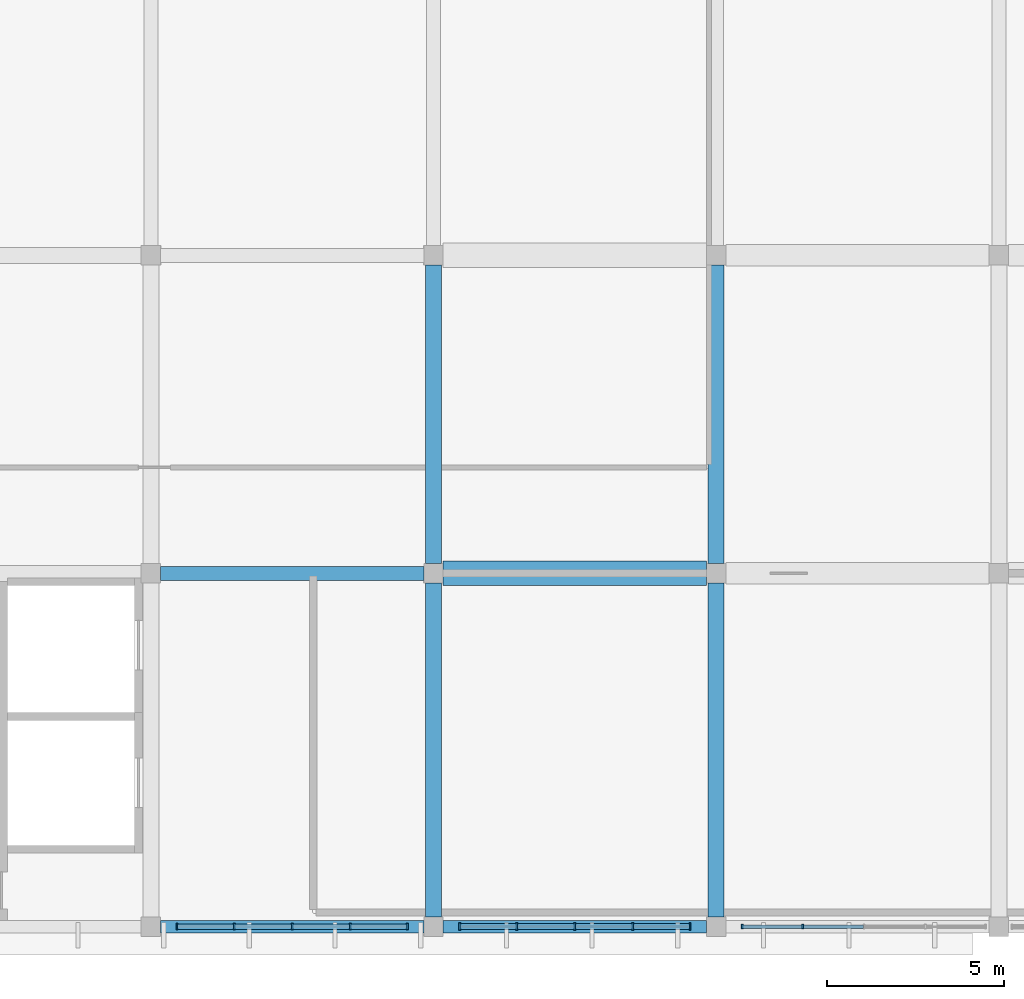
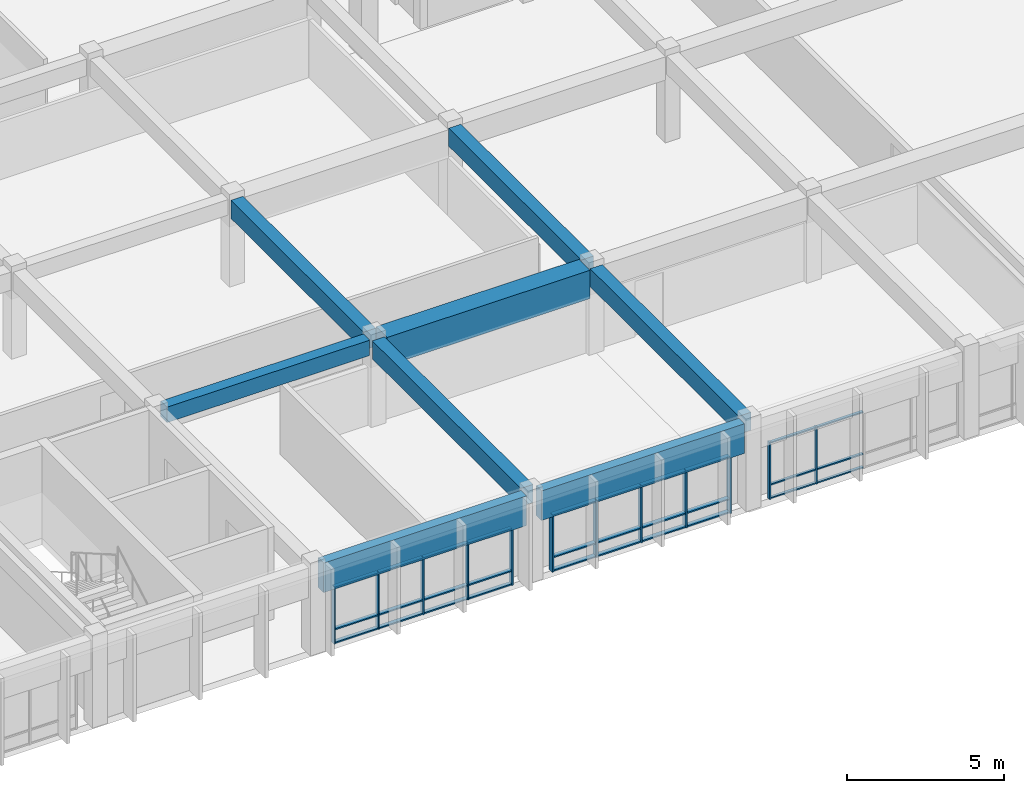
# One storey, part 30 of 77: 42 members, 8 beams, 3 elements without a shape of their own.
"""IFC4 building model written with IfcOpenShell, lengths in metres."""

from ifc_helpers import new_model, si_unit, direction, frame, origin, origin_2d, place, context, subcontext, project, spatial, rectangle, extrude, material, material_profile, profile_set, type_object, element, aggregate, save


model = new_model("IFC4")

# Units and contexts
model_context = context("Model", 3, precision=1e-05, world=origin(), true_north=direction((0.0, 1.0)))
body_context = subcontext(model_context, "Body", "Model", "MODEL_VIEW")
ifc_project = project(units=[si_unit("LENGTHUNIT", "METRE"), si_unit("AREAUNIT", "SQUARE_METRE"), si_unit("VOLUMEUNIT", "CUBIC_METRE"), si_unit("PLANEANGLEUNIT", "RADIAN"), si_unit("MASSUNIT", "GRAM", prefix="KILO")], contexts=[model_context])

# Site, building, storey
site_placement = place(None, origin())
site = spatial("IfcSite", under=ifc_project, at=site_placement, CompositionType="ELEMENT")
building_placement = place(site_placement, origin())
building = spatial("IfcBuilding", under=site, at=building_placement, Name="Larkveld Mobility Hub", CompositionType="ELEMENT")
storey_placement = place(building_placement, frame((0.0, 0.0, 12.0)))
storey = spatial("IfcBuildingStorey", under=building, at=storey_placement, Name="L03", CompositionType="ELEMENT", Elevation=12.0)

# Beams
ifc_material_1 = material(Name="Concrete C40/50", Category="concrete")
ifc_material_profile_1 = material_profile(ifc_material_1, rectangle(XDim=0.39990234375, YDim=0.60009765625, at=origin_2d()), Name="RC BM 400x600")
ifc_profile_set_1 = profile_set([ifc_material_profile_1], Name="Concrete C40/50")
beam_type_1 = type_object("IfcBeamType", Name="BM-RC4060", PredefinedType="BEAM", material=ifc_profile_set_1)
beam_1_placement = place(storey_placement, frame((128.27490234375, 10.0, 3.06005859375), z_axis=(1.0, 0.0, 0.0), x_axis=(0.0, 1.0, 0.0)))
element("IfcBeam", 1, at=beam_1_placement, inside=storey, type_object=beam_type_1, Name="Primary E-W Girder L03-0701", PredefinedType="BEAM", context=body_context, shape_type="SweptSolid", body=[
    extrude(rectangle(XDim=0.39990234375, YDim=0.60009765625, at=origin_2d()), origin(), (0.0, 0.0, 1.0), 7.4501953125),
])
ifc_material_profile_2 = material_profile(ifc_material_1, rectangle(XDim=0.449951171875, YDim=0.699951171875, at=origin_2d()), Name="RC BM 450x700")
ifc_profile_set_2 = profile_set([ifc_material_profile_2], Name="Concrete C40/50")
beam_type_2 = type_object("IfcBeamType", Name="BM-RC4570", PredefinedType="BEAM", material=ifc_profile_set_2)
beam_2_placement = place(storey_placement, frame((136.0, 0.27490234375, 3.010009765625), z_axis=(0.0, 1.0, 0.0), x_axis=(-1.0, 0.0, 0.0)))
element("IfcBeam", 2, at=beam_2_placement, inside=storey, type_object=beam_type_2, Name="Primary N-S Girder L03-0820", PredefinedType="BEAM", context=body_context, shape_type="SweptSolid", body=[
    extrude(rectangle(XDim=0.449951171875, YDim=0.699951171875, at=origin_2d()), origin(), (0.0, 0.0, 1.0), 9.4501953125),
])
beam_3_placement = place(storey_placement, frame((136.0, 10.27490234375, 3.010009765625), z_axis=(0.0, 1.0, 0.0), x_axis=(-1.0, 0.0, 0.0)))
element("IfcBeam", 3, at=beam_3_placement, inside=storey, type_object=beam_type_2, Name="Primary N-S Girder L03-0821", PredefinedType="BEAM", context=body_context, shape_type="SweptSolid", body=[
    extrude(rectangle(XDim=0.449951171875, YDim=0.699951171875, at=origin_2d()), origin(), (0.0, 0.0, 1.0), 8.4501953125),
])
beam_4_placement = place(storey_placement, frame((144.0, 0.27490234375, 3.010009765625), z_axis=(0.0, 1.0, 0.0), x_axis=(-1.0, 0.0, 0.0)))
element("IfcBeam", 4, at=beam_4_placement, inside=storey, type_object=beam_type_2, Name="Primary N-S Girder L03-0825", PredefinedType="BEAM", context=body_context, shape_type="SweptSolid", body=[
    extrude(rectangle(XDim=0.449951171875, YDim=0.699951171875, at=origin_2d()), origin(), (0.0, 0.0, 1.0), 9.4501953125),
])
beam_5_placement = place(storey_placement, frame((144.0, 10.27490234375, 3.010009765625), z_axis=(0.0, 1.0, 0.0), x_axis=(-1.0, 0.0, 0.0)))
element("IfcBeam", 5, at=beam_5_placement, inside=storey, type_object=beam_type_2, Name="Primary N-S Girder L03-0826", PredefinedType="BEAM", context=body_context, shape_type="SweptSolid", body=[
    extrude(rectangle(XDim=0.449951171875, YDim=0.699951171875, at=origin_2d()), origin(), (0.0, 0.0, 1.0), 8.4501953125),
])
ifc_material_profile_3 = material_profile(ifc_material_1, rectangle(XDim=0.699951171875, YDim=1.10009765625, at=origin_2d()), Name="RC BM 700x1100")
ifc_profile_set_3 = profile_set([ifc_material_profile_3], Name="Concrete C40/50")
beam_type_3 = type_object("IfcBeamType", Name="BM-RC70110", PredefinedType="BEAM", material=ifc_profile_set_3)
beam_6_placement = place(storey_placement, frame((136.27490234375, 10.0, 2.81005859375), z_axis=(1.0, 0.0, 0.0), x_axis=(0.0, 1.0, 0.0)))
element("IfcBeam", 6, at=beam_6_placement, inside=storey, type_object=beam_type_3, Name="Primary E-W Girder L03-0702", PredefinedType="BEAM", context=body_context, shape_type="SweptSolid", body=[
    extrude(rectangle(XDim=0.699951171875, YDim=1.10009765625, at=origin_2d()), origin(), (0.0, 0.0, 1.0), 7.4501953125),
])
ifc_material_2 = material(Name="Precast concrete C50/60", Category="concrete")
ifc_material_profile_4 = material_profile(ifc_material_2, rectangle(XDim=0.35009765625, YDim=1.14990234375, at=origin_2d()), Name="PC SP 350x1150")
ifc_profile_set_4 = profile_set([ifc_material_profile_4], Name="Precast concrete C50/60")
beam_type_4 = type_object("IfcBeamType", Name="BM-SP35115", PredefinedType="SPANDREL", material=ifc_profile_set_4)
for number, where, z_axis, x_axis, name in (
    (7, (128.27490234375, 0.0, 2.784912109375), (1.0, 0.0, 0.0), (0.0, 1.0, 0.0), "Primary E-W Girder L03-0694"),
    (8, (136.27490234375, 0.0, 2.784912109375), (1.0, 0.0, 0.0), (0.0, 1.0, 0.0), "Primary E-W Girder L03-0695"),
):
    element("IfcBeam", number, at=place(storey_placement, frame(where, z_axis=z_axis, x_axis=x_axis)), inside=storey, type_object=beam_type_4, Name=name, PredefinedType="SPANDREL", context=body_context, shape_type="SweptSolid", body=[
        extrude(rectangle(XDim=0.35009765625, YDim=1.14990234375, at=origin_2d()), origin(), (0.0, 0.0, 1.0), 7.4501953125),
    ])

# Curtain wall, members
ifc_material_3 = material(Name="Anodised aluminium 6063-T6", Category="aluminium")
curtain_wall_type_1 = type_object("IfcCurtainWallType", Name="CW-SYS-06", PredefinedType="NOTDEFINED", material=ifc_material_3)
curtain_wall_1_placement = place(storey_placement, origin())
curtain_wall_1 = element("IfcCurtainWall", 9, at=curtain_wall_1_placement, inside=storey, type_object=curtain_wall_type_1, Name="Service Centre South Curtain Wall L03 CW-114", PredefinedType="NOTDEFINED")
ifc_material_profile_5 = material_profile(ifc_material_3, rectangle(XDim=0.050048828125, YDim=0.179931640625, at=origin_2d()), Name="ALU MULL 50x180")
ifc_profile_set_5 = profile_set([ifc_material_profile_5], Name="Anodised aluminium 6063-T6")
member_type_1 = type_object("IfcMemberType", Name="CW-MUL-02", PredefinedType="MULLION", material=ifc_profile_set_5)
member_1_placement = place(storey_placement, frame((128.739990234375, 0.0, -0.001953125), z_axis=(0.0, 0.0, 1.0), x_axis=(1.0, 0.0, 0.0)))
member_1 = element("IfcMember", 10, at=member_1_placement, type_object=member_type_1, Name="CW06 mullion 1", PredefinedType="MULLION", context=body_context, shape_type="SweptSolid", body=[
    extrude(rectangle(XDim=0.050048828125, YDim=0.179931640625, at=origin_2d()), origin(), (0.0, 0.0, 1.0), 2.2119140625),
])
member_2_placement = place(storey_placement, frame((130.35693359375, 0.0, -0.001953125), z_axis=(0.0, 0.0, 1.0), x_axis=(1.0, 0.0, 0.0)))
member_2 = element("IfcMember", 11, at=member_2_placement, type_object=member_type_1, Name="CW06 mullion 2", PredefinedType="MULLION", context=body_context, shape_type="SweptSolid", body=[
    extrude(rectangle(XDim=0.050048828125, YDim=0.179931640625, at=origin_2d()), origin(), (0.0, 0.0, 1.0), 2.2119140625),
])
member_3_placement = place(storey_placement, frame((132.0, 0.0, -0.001953125), z_axis=(0.0, 0.0, 1.0), x_axis=(1.0, 0.0, 0.0)))
member_3 = element("IfcMember", 12, at=member_3_placement, type_object=member_type_1, Name="CW06 mullion 3", PredefinedType="MULLION", context=body_context, shape_type="SweptSolid", body=[
    extrude(rectangle(XDim=0.050048828125, YDim=0.179931640625, at=origin_2d()), origin(), (0.0, 0.0, 1.0), 2.2119140625),
])
member_4_placement = place(storey_placement, frame((133.64208984375, 0.0, -0.001953125), z_axis=(0.0, 0.0, 1.0), x_axis=(1.0, 0.0, 0.0)))
member_4 = element("IfcMember", 13, at=member_4_placement, type_object=member_type_1, Name="CW06 mullion 4", PredefinedType="MULLION", context=body_context, shape_type="SweptSolid", body=[
    extrude(rectangle(XDim=0.050048828125, YDim=0.179931640625, at=origin_2d()), origin(), (0.0, 0.0, 1.0), 2.2119140625),
])
member_5_placement = place(storey_placement, frame((135.260009765625, 0.0, -0.001953125), z_axis=(0.0, 0.0, 1.0), x_axis=(1.0, 0.0, 0.0)))
member_5 = element("IfcMember", 14, at=member_5_placement, type_object=member_type_1, Name="CW06 mullion 5", PredefinedType="MULLION", context=body_context, shape_type="SweptSolid", body=[
    extrude(rectangle(XDim=0.050048828125, YDim=0.179931640625, at=origin_2d()), origin(), (0.0, 0.0, 1.0), 2.2119140625),
])

curtain_wall_type_2 = type_object("IfcCurtainWallType", Name="CW-SYS-07", PredefinedType="NOTDEFINED", material=ifc_material_3)
curtain_wall_2_placement = place(storey_placement, origin())
curtain_wall_2 = element("IfcCurtainWall", 15, at=curtain_wall_2_placement, inside=storey, type_object=curtain_wall_type_2, Name="Service Centre South Curtain Wall L03 CW-115", PredefinedType="NOTDEFINED")
ifc_material_profile_6 = material_profile(ifc_material_3, rectangle(XDim=0.050048828125, YDim=0.2099609375, at=origin_2d()), Name="ALU MULL 50x210")
ifc_profile_set_6 = profile_set([ifc_material_profile_6], Name="Anodised aluminium 6063-T6")
member_type_2 = type_object("IfcMemberType", Name="CW-MUL-03", PredefinedType="MULLION", material=ifc_profile_set_6)
member_6_placement = place(storey_placement, frame((136.739990234375, 0.0, -0.001953125), z_axis=(0.0, 0.0, 1.0), x_axis=(1.0, 0.0, 0.0)))
member_6 = element("IfcMember", 16, at=member_6_placement, type_object=member_type_2, Name="CW07 mullion 1", PredefinedType="MULLION", context=body_context, shape_type="SweptSolid", body=[
    extrude(rectangle(XDim=0.050048828125, YDim=0.2099609375, at=origin_2d()), origin(), (0.0, 0.0, 1.0), 2.2119140625),
])
member_7_placement = place(storey_placement, frame((138.35693359375, 0.0, -0.001953125), z_axis=(0.0, 0.0, 1.0), x_axis=(1.0, 0.0, 0.0)))
member_7 = element("IfcMember", 17, at=member_7_placement, type_object=member_type_2, Name="CW07 mullion 2", PredefinedType="MULLION", context=body_context, shape_type="SweptSolid", body=[
    extrude(rectangle(XDim=0.050048828125, YDim=0.2099609375, at=origin_2d()), origin(), (0.0, 0.0, 1.0), 2.2119140625),
])
member_8_placement = place(storey_placement, frame((140.0, 0.0, -0.001953125), z_axis=(0.0, 0.0, 1.0), x_axis=(1.0, 0.0, 0.0)))
member_8 = element("IfcMember", 18, at=member_8_placement, type_object=member_type_2, Name="CW07 mullion 3", PredefinedType="MULLION", context=body_context, shape_type="SweptSolid", body=[
    extrude(rectangle(XDim=0.050048828125, YDim=0.2099609375, at=origin_2d()), origin(), (0.0, 0.0, 1.0), 2.2119140625),
])
member_9_placement = place(storey_placement, frame((141.64208984375, 0.0, -0.001953125), z_axis=(0.0, 0.0, 1.0), x_axis=(1.0, 0.0, 0.0)))
member_9 = element("IfcMember", 19, at=member_9_placement, type_object=member_type_2, Name="CW07 mullion 4", PredefinedType="MULLION", context=body_context, shape_type="SweptSolid", body=[
    extrude(rectangle(XDim=0.050048828125, YDim=0.2099609375, at=origin_2d()), origin(), (0.0, 0.0, 1.0), 2.2119140625),
])
member_10_placement = place(storey_placement, frame((143.260009765625, 0.0, -0.001953125), z_axis=(0.0, 0.0, 1.0), x_axis=(1.0, 0.0, 0.0)))
member_10 = element("IfcMember", 20, at=member_10_placement, type_object=member_type_2, Name="CW07 mullion 5", PredefinedType="MULLION", context=body_context, shape_type="SweptSolid", body=[
    extrude(rectangle(XDim=0.050048828125, YDim=0.2099609375, at=origin_2d()), origin(), (0.0, 0.0, 1.0), 2.2119140625),
])

curtain_wall_type_3 = type_object("IfcCurtainWallType", Name="CW-SYS-08", PredefinedType="NOTDEFINED", material=ifc_material_3)
curtain_wall_3_placement = place(storey_placement, origin())
curtain_wall_3 = element("IfcCurtainWall", 21, at=curtain_wall_3_placement, inside=storey, type_object=curtain_wall_type_3, Name="Service Centre South Curtain Wall L03 CW-116", PredefinedType="NOTDEFINED")
ifc_material_profile_7 = material_profile(ifc_material_3, rectangle(XDim=0.050048828125, YDim=0.1298828125, at=origin_2d()), Name="ALU MULL 50x130")
ifc_profile_set_7 = profile_set([ifc_material_profile_7], Name="Anodised aluminium 6063-T6")
member_type_3 = type_object("IfcMemberType", Name="CW-MUL-04", PredefinedType="MULLION", material=ifc_profile_set_7)
member_11_placement = place(storey_placement, frame((144.739990234375, 0.0, -0.001953125), z_axis=(0.0, 0.0, 1.0), x_axis=(1.0, 0.0, 0.0)))
member_11 = element("IfcMember", 22, at=member_11_placement, type_object=member_type_3, Name="CW08 mullion 1", PredefinedType="MULLION", context=body_context, shape_type="SweptSolid", body=[
    extrude(rectangle(XDim=0.050048828125, YDim=0.1298828125, at=origin_2d()), origin(), (0.0, 0.0, 1.0), 2.2119140625),
])
member_12_placement = place(storey_placement, frame((146.448974609375, 0.0, -0.001953125), z_axis=(0.0, 0.0, 1.0), x_axis=(1.0, 0.0, 0.0)))
member_12 = element("IfcMember", 23, at=member_12_placement, type_object=member_type_3, Name="CW08 mullion 2", PredefinedType="MULLION", context=body_context, shape_type="SweptSolid", body=[
    extrude(rectangle(XDim=0.050048828125, YDim=0.1298828125, at=origin_2d()), origin(), (0.0, 0.0, 1.0), 2.2119140625),
])

# Member
ifc_material_profile_8 = material_profile(ifc_material_3, rectangle(XDim=0.14990234375, YDim=0.050048828125, at=origin_2d()), Name="ALU TRAN 50x150")
ifc_profile_set_8 = profile_set([ifc_material_profile_8], Name="Anodised aluminium 6063-T6")
member_type_4 = type_object("IfcMemberType", Name="CW-TRN-02", PredefinedType="USERDEFINED", material=ifc_profile_set_8)
member_13_placement = place(storey_placement, frame((128.75, 0.0, 0.030029296875), z_axis=(1.0, 0.0, 0.0), x_axis=(0.0, 1.0, 0.0)))
member_13 = element("IfcMember", 24, at=member_13_placement, type_object=member_type_4, Name="CW06 transom 1.1", ObjectType="TRANSOM", PredefinedType="USERDEFINED", context=body_context, shape_type="SweptSolid", body=[
    extrude(rectangle(XDim=0.14990234375, YDim=0.050048828125, at=origin_2d()), origin(), (0.0, 0.0, 1.0), 1.593017578125),
])

member_14_placement = place(storey_placement, frame((128.75, 0.0, 0.552001953125), z_axis=(1.0, 0.0, 0.0), x_axis=(0.0, 1.0, 0.0)))
member_14 = element("IfcMember", 25, at=member_14_placement, type_object=member_type_4, Name="CW06 transom 1.2", ObjectType="TRANSOM", PredefinedType="USERDEFINED", context=body_context, shape_type="SweptSolid", body=[
    extrude(rectangle(XDim=0.14990234375, YDim=0.050048828125, at=origin_2d()), origin(), (0.0, 0.0, 1.0), 1.593017578125),
])

member_15_placement = place(storey_placement, frame((128.75, 0.0, 2.177978515625), z_axis=(1.0, 0.0, 0.0), x_axis=(0.0, 1.0, 0.0)))
member_15 = element("IfcMember", 26, at=member_15_placement, type_object=member_type_4, Name="CW06 transom 1.3", ObjectType="TRANSOM", PredefinedType="USERDEFINED", context=body_context, shape_type="SweptSolid", body=[
    extrude(rectangle(XDim=0.14990234375, YDim=0.050048828125, at=origin_2d()), origin(), (0.0, 0.0, 1.0), 1.593017578125),
])

member_16_placement = place(storey_placement, frame((130.373046875, 0.0, 0.030029296875), z_axis=(1.0, 0.0, 0.0), x_axis=(0.0, 1.0, 0.0)))
member_16 = element("IfcMember", 27, at=member_16_placement, type_object=member_type_4, Name="CW06 transom 2.1", ObjectType="TRANSOM", PredefinedType="USERDEFINED", context=body_context, shape_type="SweptSolid", body=[
    extrude(rectangle(XDim=0.14990234375, YDim=0.050048828125, at=origin_2d()), origin(), (0.0, 0.0, 1.0), 1.612060546875),
])

member_17_placement = place(storey_placement, frame((130.373046875, 0.0, 0.552001953125), z_axis=(1.0, 0.0, 0.0), x_axis=(0.0, 1.0, 0.0)))
member_17 = element("IfcMember", 28, at=member_17_placement, type_object=member_type_4, Name="CW06 transom 2.2", ObjectType="TRANSOM", PredefinedType="USERDEFINED", context=body_context, shape_type="SweptSolid", body=[
    extrude(rectangle(XDim=0.14990234375, YDim=0.050048828125, at=origin_2d()), origin(), (0.0, 0.0, 1.0), 1.612060546875),
])

member_18_placement = place(storey_placement, frame((130.373046875, 0.0, 2.177978515625), z_axis=(1.0, 0.0, 0.0), x_axis=(0.0, 1.0, 0.0)))
member_18 = element("IfcMember", 29, at=member_18_placement, type_object=member_type_4, Name="CW06 transom 2.3", ObjectType="TRANSOM", PredefinedType="USERDEFINED", context=body_context, shape_type="SweptSolid", body=[
    extrude(rectangle(XDim=0.14990234375, YDim=0.050048828125, at=origin_2d()), origin(), (0.0, 0.0, 1.0), 1.612060546875),
])

member_19_placement = place(storey_placement, frame((132.014892578125, 0.0, 0.030029296875), z_axis=(1.0, 0.0, 0.0), x_axis=(0.0, 1.0, 0.0)))
member_19 = element("IfcMember", 30, at=member_19_placement, type_object=member_type_4, Name="CW06 transom 3.1", ObjectType="TRANSOM", PredefinedType="USERDEFINED", context=body_context, shape_type="SweptSolid", body=[
    extrude(rectangle(XDim=0.14990234375, YDim=0.050048828125, at=origin_2d()), origin(), (0.0, 0.0, 1.0), 1.612060546875),
])

member_20_placement = place(storey_placement, frame((132.014892578125, 0.0, 0.552001953125), z_axis=(1.0, 0.0, 0.0), x_axis=(0.0, 1.0, 0.0)))
member_20 = element("IfcMember", 31, at=member_20_placement, type_object=member_type_4, Name="CW06 transom 3.2", ObjectType="TRANSOM", PredefinedType="USERDEFINED", context=body_context, shape_type="SweptSolid", body=[
    extrude(rectangle(XDim=0.14990234375, YDim=0.050048828125, at=origin_2d()), origin(), (0.0, 0.0, 1.0), 1.612060546875),
])

member_21_placement = place(storey_placement, frame((132.014892578125, 0.0, 2.177978515625), z_axis=(1.0, 0.0, 0.0), x_axis=(0.0, 1.0, 0.0)))
member_21 = element("IfcMember", 32, at=member_21_placement, type_object=member_type_4, Name="CW06 transom 3.3", ObjectType="TRANSOM", PredefinedType="USERDEFINED", context=body_context, shape_type="SweptSolid", body=[
    extrude(rectangle(XDim=0.14990234375, YDim=0.050048828125, at=origin_2d()), origin(), (0.0, 0.0, 1.0), 1.612060546875),
])

member_22_placement = place(storey_placement, frame((133.656982421875, 0.0, 0.030029296875), z_axis=(1.0, 0.0, 0.0), x_axis=(0.0, 1.0, 0.0)))
member_22 = element("IfcMember", 33, at=member_22_placement, type_object=member_type_4, Name="CW06 transom 4.1", ObjectType="TRANSOM", PredefinedType="USERDEFINED", context=body_context, shape_type="SweptSolid", body=[
    extrude(rectangle(XDim=0.14990234375, YDim=0.050048828125, at=origin_2d()), origin(), (0.0, 0.0, 1.0), 1.593017578125),
])

member_23_placement = place(storey_placement, frame((133.656982421875, 0.0, 0.552001953125), z_axis=(1.0, 0.0, 0.0), x_axis=(0.0, 1.0, 0.0)))
member_23 = element("IfcMember", 34, at=member_23_placement, type_object=member_type_4, Name="CW06 transom 4.2", ObjectType="TRANSOM", PredefinedType="USERDEFINED", context=body_context, shape_type="SweptSolid", body=[
    extrude(rectangle(XDim=0.14990234375, YDim=0.050048828125, at=origin_2d()), origin(), (0.0, 0.0, 1.0), 1.593017578125),
])

member_24_placement = place(storey_placement, frame((133.656982421875, 0.0, 2.177978515625), z_axis=(1.0, 0.0, 0.0), x_axis=(0.0, 1.0, 0.0)))
member_24 = element("IfcMember", 35, at=member_24_placement, type_object=member_type_4, Name="CW06 transom 4.3", ObjectType="TRANSOM", PredefinedType="USERDEFINED", context=body_context, shape_type="SweptSolid", body=[
    extrude(rectangle(XDim=0.14990234375, YDim=0.050048828125, at=origin_2d()), origin(), (0.0, 0.0, 1.0), 1.593017578125),
])

aggregate(curtain_wall_1, [member_1, member_2, member_3, member_4, member_5, member_13, member_14, member_15, member_16, member_17, member_18, member_19, member_20, member_21, member_22, member_23, member_24])

ifc_material_profile_9 = material_profile(ifc_material_3, rectangle(XDim=0.169921875, YDim=0.050048828125, at=origin_2d()), Name="ALU TRAN 50x170")
ifc_profile_set_9 = profile_set([ifc_material_profile_9], Name="Anodised aluminium 6063-T6")
member_type_5 = type_object("IfcMemberType", Name="CW-TRN-03", PredefinedType="USERDEFINED", material=ifc_profile_set_9)
member_25_placement = place(storey_placement, frame((136.75, 0.0, 0.030029296875), z_axis=(1.0, 0.0, 0.0), x_axis=(0.0, 1.0, 0.0)))
member_25 = element("IfcMember", 36, at=member_25_placement, type_object=member_type_5, Name="CW07 transom 1.1", ObjectType="TRANSOM", PredefinedType="USERDEFINED", context=body_context, shape_type="SweptSolid", body=[
    extrude(rectangle(XDim=0.169921875, YDim=0.050048828125, at=origin_2d()), origin(), (0.0, 0.0, 1.0), 1.593017578125),
])

member_26_placement = place(storey_placement, frame((136.75, 0.0, 0.552001953125), z_axis=(1.0, 0.0, 0.0), x_axis=(0.0, 1.0, 0.0)))
member_26 = element("IfcMember", 37, at=member_26_placement, type_object=member_type_5, Name="CW07 transom 1.2", ObjectType="TRANSOM", PredefinedType="USERDEFINED", context=body_context, shape_type="SweptSolid", body=[
    extrude(rectangle(XDim=0.169921875, YDim=0.050048828125, at=origin_2d()), origin(), (0.0, 0.0, 1.0), 1.593017578125),
])

member_27_placement = place(storey_placement, frame((136.75, 0.0, 2.177978515625), z_axis=(1.0, 0.0, 0.0), x_axis=(0.0, 1.0, 0.0)))
member_27 = element("IfcMember", 38, at=member_27_placement, type_object=member_type_5, Name="CW07 transom 1.3", ObjectType="TRANSOM", PredefinedType="USERDEFINED", context=body_context, shape_type="SweptSolid", body=[
    extrude(rectangle(XDim=0.169921875, YDim=0.050048828125, at=origin_2d()), origin(), (0.0, 0.0, 1.0), 1.593017578125),
])

member_28_placement = place(storey_placement, frame((138.373046875, 0.0, 0.030029296875), z_axis=(1.0, 0.0, 0.0), x_axis=(0.0, 1.0, 0.0)))
member_28 = element("IfcMember", 39, at=member_28_placement, type_object=member_type_5, Name="CW07 transom 2.1", ObjectType="TRANSOM", PredefinedType="USERDEFINED", context=body_context, shape_type="SweptSolid", body=[
    extrude(rectangle(XDim=0.169921875, YDim=0.050048828125, at=origin_2d()), origin(), (0.0, 0.0, 1.0), 1.612060546875),
])

member_29_placement = place(storey_placement, frame((138.373046875, 0.0, 0.552001953125), z_axis=(1.0, 0.0, 0.0), x_axis=(0.0, 1.0, 0.0)))
member_29 = element("IfcMember", 40, at=member_29_placement, type_object=member_type_5, Name="CW07 transom 2.2", ObjectType="TRANSOM", PredefinedType="USERDEFINED", context=body_context, shape_type="SweptSolid", body=[
    extrude(rectangle(XDim=0.169921875, YDim=0.050048828125, at=origin_2d()), origin(), (0.0, 0.0, 1.0), 1.612060546875),
])

member_30_placement = place(storey_placement, frame((138.373046875, 0.0, 2.177978515625), z_axis=(1.0, 0.0, 0.0), x_axis=(0.0, 1.0, 0.0)))
member_30 = element("IfcMember", 41, at=member_30_placement, type_object=member_type_5, Name="CW07 transom 2.3", ObjectType="TRANSOM", PredefinedType="USERDEFINED", context=body_context, shape_type="SweptSolid", body=[
    extrude(rectangle(XDim=0.169921875, YDim=0.050048828125, at=origin_2d()), origin(), (0.0, 0.0, 1.0), 1.612060546875),
])

member_31_placement = place(storey_placement, frame((140.014892578125, 0.0, 0.030029296875), z_axis=(1.0, 0.0, 0.0), x_axis=(0.0, 1.0, 0.0)))
member_31 = element("IfcMember", 42, at=member_31_placement, type_object=member_type_5, Name="CW07 transom 3.1", ObjectType="TRANSOM", PredefinedType="USERDEFINED", context=body_context, shape_type="SweptSolid", body=[
    extrude(rectangle(XDim=0.169921875, YDim=0.050048828125, at=origin_2d()), origin(), (0.0, 0.0, 1.0), 1.612060546875),
])

member_32_placement = place(storey_placement, frame((140.014892578125, 0.0, 0.552001953125), z_axis=(1.0, 0.0, 0.0), x_axis=(0.0, 1.0, 0.0)))
member_32 = element("IfcMember", 43, at=member_32_placement, type_object=member_type_5, Name="CW07 transom 3.2", ObjectType="TRANSOM", PredefinedType="USERDEFINED", context=body_context, shape_type="SweptSolid", body=[
    extrude(rectangle(XDim=0.169921875, YDim=0.050048828125, at=origin_2d()), origin(), (0.0, 0.0, 1.0), 1.612060546875),
])

member_33_placement = place(storey_placement, frame((140.014892578125, 0.0, 2.177978515625), z_axis=(1.0, 0.0, 0.0), x_axis=(0.0, 1.0, 0.0)))
member_33 = element("IfcMember", 44, at=member_33_placement, type_object=member_type_5, Name="CW07 transom 3.3", ObjectType="TRANSOM", PredefinedType="USERDEFINED", context=body_context, shape_type="SweptSolid", body=[
    extrude(rectangle(XDim=0.169921875, YDim=0.050048828125, at=origin_2d()), origin(), (0.0, 0.0, 1.0), 1.612060546875),
])

member_34_placement = place(storey_placement, frame((141.656982421875, 0.0, 0.030029296875), z_axis=(1.0, 0.0, 0.0), x_axis=(0.0, 1.0, 0.0)))
member_34 = element("IfcMember", 45, at=member_34_placement, type_object=member_type_5, Name="CW07 transom 4.1", ObjectType="TRANSOM", PredefinedType="USERDEFINED", context=body_context, shape_type="SweptSolid", body=[
    extrude(rectangle(XDim=0.169921875, YDim=0.050048828125, at=origin_2d()), origin(), (0.0, 0.0, 1.0), 1.593017578125),
])

member_35_placement = place(storey_placement, frame((141.656982421875, 0.0, 0.552001953125), z_axis=(1.0, 0.0, 0.0), x_axis=(0.0, 1.0, 0.0)))
member_35 = element("IfcMember", 46, at=member_35_placement, type_object=member_type_5, Name="CW07 transom 4.2", ObjectType="TRANSOM", PredefinedType="USERDEFINED", context=body_context, shape_type="SweptSolid", body=[
    extrude(rectangle(XDim=0.169921875, YDim=0.050048828125, at=origin_2d()), origin(), (0.0, 0.0, 1.0), 1.593017578125),
])

member_36_placement = place(storey_placement, frame((141.656982421875, 0.0, 2.177978515625), z_axis=(1.0, 0.0, 0.0), x_axis=(0.0, 1.0, 0.0)))
member_36 = element("IfcMember", 47, at=member_36_placement, type_object=member_type_5, Name="CW07 transom 4.3", ObjectType="TRANSOM", PredefinedType="USERDEFINED", context=body_context, shape_type="SweptSolid", body=[
    extrude(rectangle(XDim=0.169921875, YDim=0.050048828125, at=origin_2d()), origin(), (0.0, 0.0, 1.0), 1.593017578125),
])

aggregate(curtain_wall_2, [member_6, member_7, member_8, member_9, member_10, member_25, member_26, member_27, member_28, member_29, member_30, member_31, member_32, member_33, member_34, member_35, member_36])

ifc_material_profile_10 = material_profile(ifc_material_3, rectangle(XDim=0.10009765625, YDim=0.050048828125, at=origin_2d()), Name="ALU TRAN 50x100")
ifc_profile_set_10 = profile_set([ifc_material_profile_10], Name="Anodised aluminium 6063-T6")
member_type_6 = type_object("IfcMemberType", Name="CW-TRN-04", PredefinedType="USERDEFINED", material=ifc_profile_set_10)
member_37_placement = place(storey_placement, frame((144.75, 0.0, 0.030029296875), z_axis=(1.0, 0.0, 0.0), x_axis=(0.0, 1.0, 0.0)))
member_37 = element("IfcMember", 48, at=member_37_placement, type_object=member_type_6, Name="CW08 transom 1.1", ObjectType="TRANSOM", PredefinedType="USERDEFINED", context=body_context, shape_type="SweptSolid", body=[
    extrude(rectangle(XDim=0.10009765625, YDim=0.050048828125, at=origin_2d()), origin(), (0.0, 0.0, 1.0), 1.68408203125),
])

member_38_placement = place(storey_placement, frame((144.75, 0.0, 0.552001953125), z_axis=(1.0, 0.0, 0.0), x_axis=(0.0, 1.0, 0.0)))
member_38 = element("IfcMember", 49, at=member_38_placement, type_object=member_type_6, Name="CW08 transom 1.2", ObjectType="TRANSOM", PredefinedType="USERDEFINED", context=body_context, shape_type="SweptSolid", body=[
    extrude(rectangle(XDim=0.10009765625, YDim=0.050048828125, at=origin_2d()), origin(), (0.0, 0.0, 1.0), 1.68408203125),
])

member_39_placement = place(storey_placement, frame((144.75, 0.0, 2.177978515625), z_axis=(1.0, 0.0, 0.0), x_axis=(0.0, 1.0, 0.0)))
member_39 = element("IfcMember", 50, at=member_39_placement, type_object=member_type_6, Name="CW08 transom 1.3", ObjectType="TRANSOM", PredefinedType="USERDEFINED", context=body_context, shape_type="SweptSolid", body=[
    extrude(rectangle(XDim=0.10009765625, YDim=0.050048828125, at=origin_2d()), origin(), (0.0, 0.0, 1.0), 1.68408203125),
])

member_40_placement = place(storey_placement, frame((146.464111328125, 0.0, 0.030029296875), z_axis=(1.0, 0.0, 0.0), x_axis=(0.0, 1.0, 0.0)))
member_40 = element("IfcMember", 51, at=member_40_placement, type_object=member_type_6, Name="CW08 transom 2.1", ObjectType="TRANSOM", PredefinedType="USERDEFINED", context=body_context, shape_type="SweptSolid", body=[
    extrude(rectangle(XDim=0.10009765625, YDim=0.050048828125, at=origin_2d()), origin(), (0.0, 0.0, 1.0), 1.702880859375),
])

member_41_placement = place(storey_placement, frame((146.464111328125, 0.0, 0.552001953125), z_axis=(1.0, 0.0, 0.0), x_axis=(0.0, 1.0, 0.0)))
member_41 = element("IfcMember", 52, at=member_41_placement, type_object=member_type_6, Name="CW08 transom 2.2", ObjectType="TRANSOM", PredefinedType="USERDEFINED", context=body_context, shape_type="SweptSolid", body=[
    extrude(rectangle(XDim=0.10009765625, YDim=0.050048828125, at=origin_2d()), origin(), (0.0, 0.0, 1.0), 1.702880859375),
])

member_42_placement = place(storey_placement, frame((146.464111328125, 0.0, 2.177978515625), z_axis=(1.0, 0.0, 0.0), x_axis=(0.0, 1.0, 0.0)))
member_42 = element("IfcMember", 53, at=member_42_placement, type_object=member_type_6, Name="CW08 transom 2.3", ObjectType="TRANSOM", PredefinedType="USERDEFINED", context=body_context, shape_type="SweptSolid", body=[
    extrude(rectangle(XDim=0.10009765625, YDim=0.050048828125, at=origin_2d()), origin(), (0.0, 0.0, 1.0), 1.702880859375),
])

aggregate(curtain_wall_3, [member_11, member_12, member_37, member_38, member_39, member_40, member_41, member_42])

save(model, "model.ifc")
